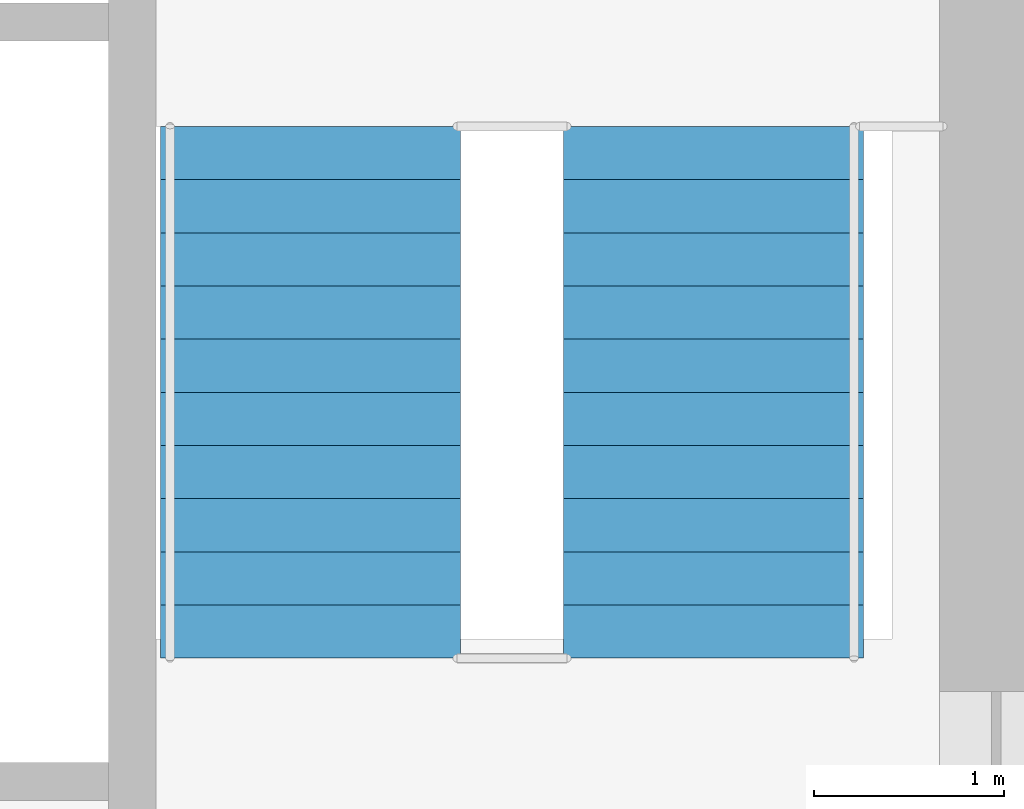
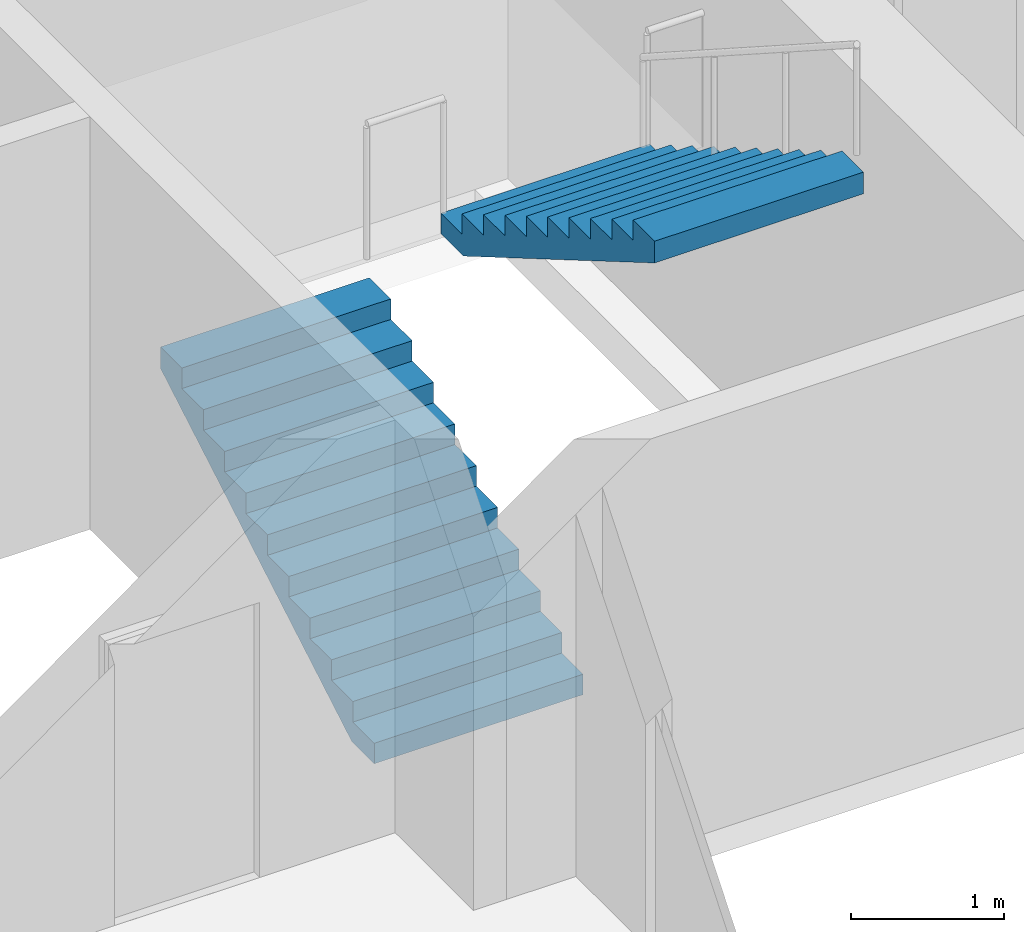
# One storey, part 15 of 18: 2 stair flights, 1 element without a shape of its own.
"""IFC4 building model written with IfcOpenShell, lengths in metres."""

from ifc_helpers import new_model, si_unit, direction, frame, origin, place, context, subcontext, project, spatial, polyline, outline, extrude, material, type_object, element, aggregate, save


model = new_model("IFC4")

# Units and contexts
model_context = context("Model", 3, precision=1e-05, world=origin(), true_north=direction((0.0, 1.0)))
body_context = subcontext(model_context, "Body", "Model", "MODEL_VIEW")
ifc_project = project(units=[si_unit("LENGTHUNIT", "METRE"), si_unit("AREAUNIT", "SQUARE_METRE"), si_unit("VOLUMEUNIT", "CUBIC_METRE"), si_unit("PLANEANGLEUNIT", "RADIAN"), si_unit("MASSUNIT", "GRAM", prefix="KILO")], contexts=[model_context])

# Site, building, storey
site_placement = place(None, origin())
site = spatial("IfcSite", under=ifc_project, at=site_placement, CompositionType="ELEMENT")
building_placement = place(site_placement, origin())
building = spatial("IfcBuilding", under=site, at=building_placement, Name="Pilkhan Gate Tower", CompositionType="ELEMENT")
storey_placement = place(building_placement, frame((0.0, 0.0, 192.300048828125)))
storey = spatial("IfcBuildingStorey", under=building, at=storey_placement, Name="L49", CompositionType="ELEMENT", Elevation=192.300048828125)

# Stair, stair flights
ifc_material = material(Name="Concrete C40/50 precast", Category="concrete")
stair_type = type_object("IfcStairType", Name="Stair ST4 164x280", PredefinedType="HALF_TURN_STAIR", material=ifc_material)
stair_placement = place(storey_placement, origin())
stair = element("IfcStair", 1, at=stair_placement, inside=storey, type_object=stair_type, Name="Stair ST4 L49", PredefinedType="HALF_TURN_STAIR")
stair_flight_type = type_object("IfcStairFlightType", Name="Stair flight ST4 164x280x11", PredefinedType="STRAIGHT", material=ifc_material)
stair_flight_1_placement = place(storey_placement, frame((85.68994140625, 87.39990234375, 0.0), z_axis=(0.0, 0.0, 1.0), x_axis=(0.0, 1.0, 0.0)))
stair_flight_1 = element("IfcStairFlight", 2, at=stair_flight_1_placement, type_object=stair_flight_type, Name="ST4 flight 1", NumberOfRisers=11, NumberOfTreads=10, PredefinedType="STRAIGHT", RiserHeight=0.163636364, TreadLength=0.28, context=body_context, shape_type="SweptSolid", body=[
    extrude(outline(polyline([(0.0, 0.0), (0.0, 0.16357421875), (0.280029296875, 0.16357421875), (0.280029296875, 0.327392578125), (0.56005859375, 0.327392578125), (0.56005859375, 0.490966796875), (0.840087890625, 0.490966796875), (0.840087890625, 0.654541015625), (1.1201171875, 0.654541015625), (1.1201171875, 0.818115234375), (1.39990234375, 0.818115234375), (1.39990234375, 0.98193359375), (1.679931640625, 0.98193359375), (1.679931640625, 1.1455078125), (1.9599609375, 1.1455078125), (1.9599609375, 1.30908203125), (2.239990234375, 1.30908203125), (2.239990234375, 1.47265625), (2.52001953125, 1.47265625), (2.52001953125, 1.636474609375), (2.800048828125, 1.636474609375), (2.800048828125, 1.800048828125), (2.800048828125, 1.462646484375), (0.297119140625, 0.0), (0.0, 0.0)])), frame((0.0, 0.7900390625, 0.0), z_axis=(0.0, -1.0, 0.0), x_axis=(1.0, 0.0, 0.0)), (0.0, 0.0, 1.0), 1.580078125),
])
stair_flight_2_placement = place(storey_placement, frame((87.81005859375, 90.199951171875, 1.800048828125), z_axis=(0.0, 0.0, 1.0), x_axis=(0.0, -1.0, 0.0)))
stair_flight_2 = element("IfcStairFlight", 3, at=stair_flight_2_placement, type_object=stair_flight_type, Name="ST4 flight 2", NumberOfRisers=11, NumberOfTreads=10, PredefinedType="STRAIGHT", RiserHeight=0.163636364, TreadLength=0.28, context=body_context, shape_type="SweptSolid", body=[
    extrude(outline(polyline([(0.0, 0.0), (0.0, 0.16357421875), (0.280029296875, 0.16357421875), (0.280029296875, 0.327392578125), (0.56005859375, 0.327392578125), (0.56005859375, 0.490966796875), (0.840087890625, 0.490966796875), (0.840087890625, 0.654541015625), (1.1201171875, 0.654541015625), (1.1201171875, 0.818115234375), (1.39990234375, 0.818115234375), (1.39990234375, 0.98193359375), (1.679931640625, 0.98193359375), (1.679931640625, 1.1455078125), (1.9599609375, 1.1455078125), (1.9599609375, 1.30908203125), (2.239990234375, 1.30908203125), (2.239990234375, 1.47265625), (2.52001953125, 1.47265625), (2.52001953125, 1.636474609375), (2.800048828125, 1.636474609375), (2.800048828125, 1.800048828125), (2.800048828125, 1.462646484375), (0.297119140625, 0.0), (0.0, 0.0)])), frame((0.0, 0.7900390625, 0.0), z_axis=(0.0, -1.0, 0.0), x_axis=(1.0, 0.0, 0.0)), (0.0, 0.0, 1.0), 1.580078125),
])
aggregate(stair, [stair_flight_1, stair_flight_2])

save(model, "model.ifc")
